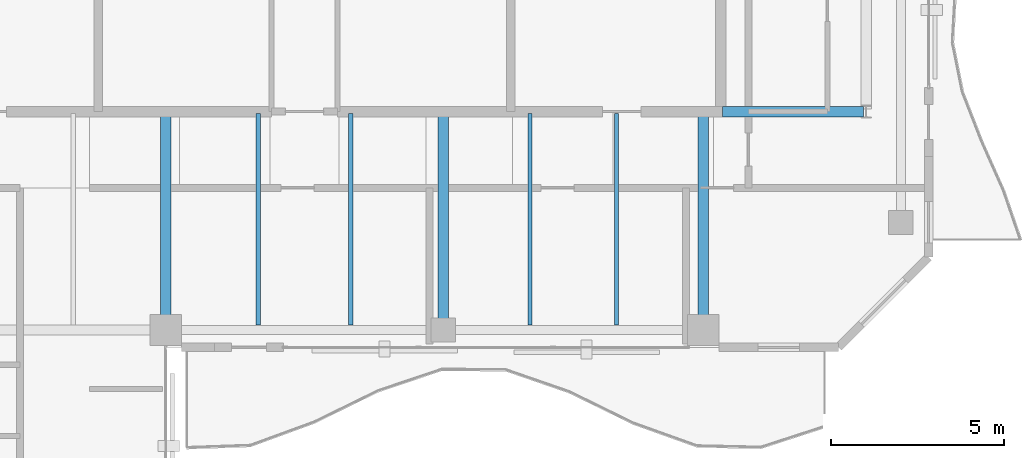
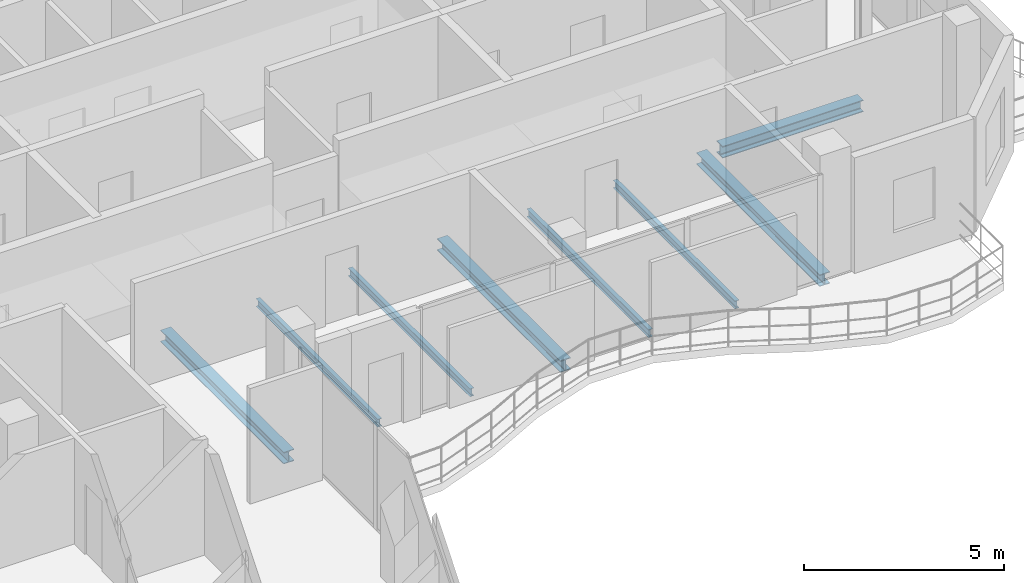
# One storey, part 10 of 17: 8 beams.
"""IFC4 building model written with IfcOpenShell, lengths in metres."""

from ifc_helpers import new_model, si_unit, direction, frame, origin, origin_2d, place, context, subcontext, project, spatial, i_section, extrude, material, material_profile, profile_set, type_object, element, save


model = new_model("IFC4")

# Units and contexts
model_context = context("Model", 3, precision=1e-05, world=origin(), true_north=direction((0.0, 1.0)))
body_context = subcontext(model_context, "Body", "Model", "MODEL_VIEW")
ifc_project = project(units=[si_unit("LENGTHUNIT", "METRE"), si_unit("AREAUNIT", "SQUARE_METRE"), si_unit("VOLUMEUNIT", "CUBIC_METRE"), si_unit("PLANEANGLEUNIT", "RADIAN"), si_unit("MASSUNIT", "GRAM", prefix="KILO")], contexts=[model_context])

# Site, building, storey
site_placement = place(None, origin())
site = spatial("IfcSite", under=ifc_project, at=site_placement, CompositionType="ELEMENT")
building_placement = place(site_placement, origin())
building = spatial("IfcBuilding", under=site, at=building_placement, Name="Catumbela Crestline Tower", CompositionType="ELEMENT")
storey_placement = place(building_placement, frame((0.0, 0.0, 283.0)))
storey = spatial("IfcBuildingStorey", under=building, at=storey_placement, Name="L73", CompositionType="ELEMENT", Elevation=283.0)

# Beams
ifc_material = material(Name="Structural steel S355J2", Category="steel")
ifc_material_profile_1 = material_profile(ifc_material, i_section(OverallWidth=0.3, OverallDepth=0.36, WebThickness=0.0125, FlangeThickness=0.0225, FilletRadius=0.027, at=origin_2d()), Name="HEB 360")
ifc_profile_set_1 = profile_set([ifc_material_profile_1], Name="Structural steel S355J2")
beam_type_1 = type_object("IfcBeamType", Name="BG-HEB360", PredefinedType="BEAM", material=ifc_profile_set_1)
beam_placement = place(storey_placement, frame((40.05, 30.8, -0.44), z_axis=(1.0, 0.0, 0.0), x_axis=(0.0, 1.0, 0.0)))
element("IfcBeam", 1, at=beam_placement, inside=storey, type_object=beam_type_1, Name="L73 Beam BM-L73-M04", PredefinedType="BEAM", context=body_context, shape_type="SweptSolid", body=[
    extrude(i_section(OverallWidth=0.3, OverallDepth=0.36, WebThickness=0.0125, FlangeThickness=0.0225, FilletRadius=0.027, at=origin_2d()), origin(), (0.0, 0.0, 1.0), 4.07),
])
for number, where, z_axis, x_axis, name in (
    (2, (24.0, 24.58, -0.44), (0.0, 1.0, 0.0), (-1.0, 0.0, 0.0), "L73 Beam BM-L73-SNS07"),
    (3, (32.0, 24.58, -0.44), (0.0, 1.0, 0.0), (-1.0, 0.0, 0.0), "L73 Beam BM-L73-SNS08"),
    (4, (39.5, 24.58, -0.44), (0.0, 1.0, 0.0), (-1.0, 0.0, 0.0), "L73 Beam BM-L73-SNS09"),
):
    element("IfcBeam", number, at=place(storey_placement, frame(where, z_axis=z_axis, x_axis=x_axis)), inside=storey, type_object=beam_type_1, Name=name, PredefinedType="BEAM", context=body_context, shape_type="SweptSolid", body=[
        extrude(i_section(OverallWidth=0.3, OverallDepth=0.36, WebThickness=0.0125, FlangeThickness=0.0225, FilletRadius=0.027, at=origin_2d()), origin(), (0.0, 0.0, 1.0), 6.17),
    ])
ifc_material_profile_2 = material_profile(ifc_material, i_section(OverallWidth=0.12, OverallDepth=0.24, WebThickness=0.0062, FlangeThickness=0.0098, FilletRadius=0.015, at=origin_2d()), Name="IPE 240")
ifc_profile_set_2 = profile_set([ifc_material_profile_2], Name="Structural steel S355J2")
beam_type_2 = type_object("IfcBeamType", Name="BJ-IPE240", PredefinedType="JOIST", material=ifc_profile_set_2)
for number, where, z_axis, x_axis, name in (
    (5, (26.667, 24.647, -0.38), (0.0, 1.0, 0.0), (-1.0, 0.0, 0.0), "L73 Joist JS-L73-SP14"),
    (6, (29.333, 24.647, -0.38), (0.0, 1.0, 0.0), (-1.0, 0.0, 0.0), "L73 Joist JS-L73-SP15"),
    (7, (34.5, 24.647, -0.38), (0.0, 1.0, 0.0), (-1.0, 0.0, 0.0), "L73 Joist JS-L73-SP16"),
    (8, (37.0, 24.647, -0.38), (0.0, 1.0, 0.0), (-1.0, 0.0, 0.0), "L73 Joist JS-L73-SP17"),
):
    element("IfcBeam", number, at=place(storey_placement, frame(where, z_axis=z_axis, x_axis=x_axis)), inside=storey, type_object=beam_type_2, Name=name, PredefinedType="JOIST", context=body_context, shape_type="SweptSolid", body=[
        extrude(i_section(OverallWidth=0.12, OverallDepth=0.24, WebThickness=0.0062, FlangeThickness=0.0098, FilletRadius=0.015, at=origin_2d()), origin(), (0.0, 0.0, 1.0), 6.103),
    ])

save(model, "model.ifc")
